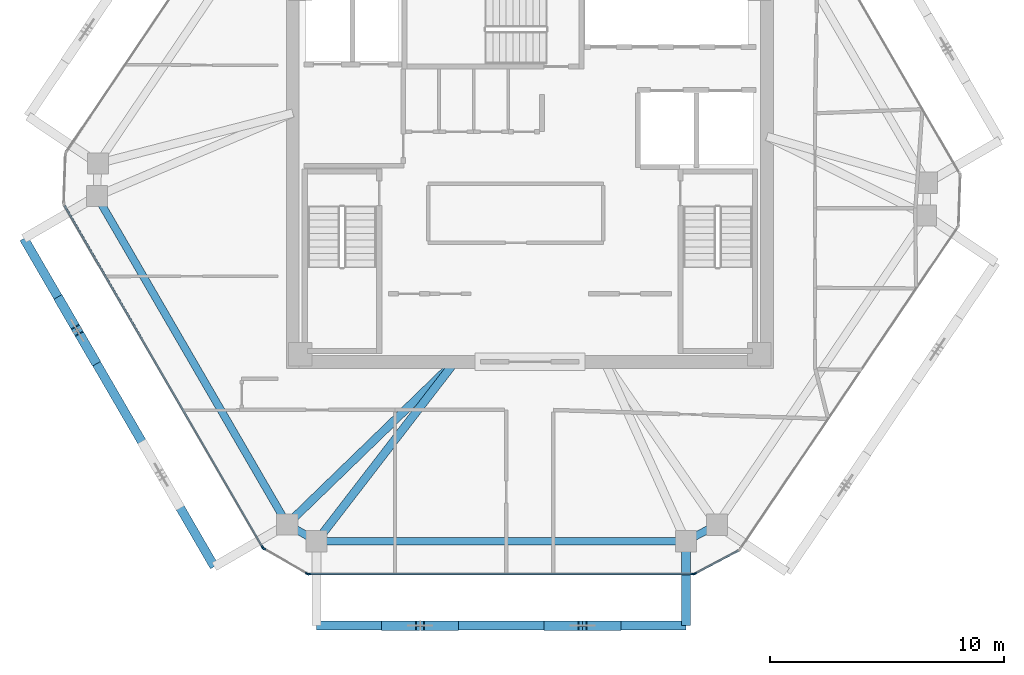
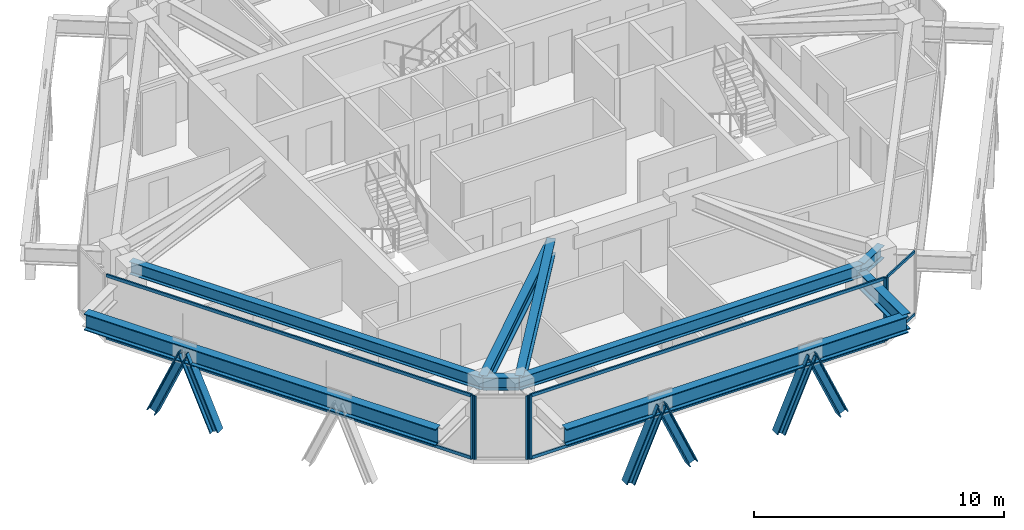
# One storey, part 2 of 14: 18 members, 9 beams, 4 elements without a shape of their own.
"""IFC4 building model written with IfcOpenShell, lengths in metres."""

import ifcopenshell
import ifcopenshell.guid

model = None  # the IFC model being written
_history = None  # IfcOwnerHistory: only IFC2X3 demands one
_inside = {}  # id of a spatial element -> (the spatial element, [elements in it])
_under = {}  # id of a project, library or spatial element -> (it, [spatial elements below it])
_declared = {}  # id of a project -> (the project, [libraries it declares])
_typed = {}  # id of a type object -> (the type object, [elements of that type])
_made_of = {}  # id of a material, layer set ... -> (it, [elements and type objects made of it])


def new_model(schema):
    """Start an empty IFC model of exactly this schema.

    Asked for "IFC4X3", IfcOpenShell would pick the latest addendum, in which some entities
    have other attributes; the version numbers below select the first issue.
    IFC2X3 requires an IfcOwnerHistory on every rooted entity: one is made here for all.
    """
    global model, _history
    if schema == "IFC4X3":
        model = ifcopenshell.file(schema_version=(4, 3, 0, 0))
    else:
        model = ifcopenshell.file(schema=schema)
    _inside.clear()
    _under.clear()
    _declared.clear()
    _typed.clear()
    _made_of.clear()
    _history = None
    if model.schema == "IFC2X3":
        org = make("IfcOrganization", Name="unknown")
        user = make(
            "IfcPersonAndOrganization",
            ThePerson=make("IfcPerson", FamilyName="unknown"),
            TheOrganization=org,
        )
        app = make(
            "IfcApplication",
            ApplicationDeveloper=org,
            Version="unknown",
            ApplicationFullName="unknown",
            ApplicationIdentifier="unknown",
        )
        _history = make(
            "IfcOwnerHistory",
            OwningUser=user,
            OwningApplication=app,
            ChangeAction="ADDED",
            CreationDate=0,
        )
    return model


def make(cls, **values):
    """One entity of the class cls with the attributes given. An attribute that is None is left unset."""
    return model.create_entity(
        cls, **{name: value for name, value in values.items() if value is not None}
    )


def rooted(cls, **values):
    """An entity with a GlobalId (a new one), such as an element, a storey or a relation."""
    return make(cls, GlobalId=ifcopenshell.guid.new(), OwnerHistory=_history, **values)


def si_unit(unit_type, name, prefix=None):
    """IfcSIUnit, for example si_unit("LENGTHUNIT", "METRE", prefix="MILLI")."""
    return make("IfcSIUnit", UnitType=unit_type, Prefix=prefix, Name=name)


def assignment(units):
    """IfcUnitAssignment: the units of a project."""
    return None if units is None else make("IfcUnitAssignment", Units=units)


def point(xyz):
    """IfcCartesianPoint."""
    return None if xyz is None else make("IfcCartesianPoint", Coordinates=xyz)


def direction(xyz):
    """IfcDirection."""
    return None if xyz is None else make("IfcDirection", DirectionRatios=xyz)


def frame(location, z_axis=None, x_axis=None):
    """IfcAxis2Placement3D, a coordinate frame: its origin and axes. An axis left out is left unset."""
    return make(
        "IfcAxis2Placement3D",
        Location=point(location),
        Axis=direction(z_axis),
        RefDirection=direction(x_axis),
    )


def frame_2d(location, x_axis=None):
    """IfcAxis2Placement2D, a coordinate frame in the plane: its origin and x axis."""
    return make(
        "IfcAxis2Placement2D", Location=point(location), RefDirection=direction(x_axis)
    )


def origin():
    """The frame at (0, 0, 0) with its axes left unset."""
    return frame((0.0, 0.0, 0.0))


def origin_2d():
    """The frame at (0, 0) in the plane with its x axis left unset."""
    return frame_2d((0.0, 0.0))


def place(relative_to, where):
    """IfcLocalPlacement: puts the frame where relative to a parent placement (None: the world)."""
    return make(
        "IfcLocalPlacement", PlacementRelTo=relative_to, RelativePlacement=where
    )


def context(
    kind, dimensions, precision=None, world=None, true_north=None, identifier=None
):
    """IfcGeometricRepresentationContext, for example the 3D "Model" context."""
    return make(
        "IfcGeometricRepresentationContext",
        ContextIdentifier=identifier,
        ContextType=kind,
        CoordinateSpaceDimension=dimensions,
        Precision=precision,
        WorldCoordinateSystem=world,
        TrueNorth=true_north,
    )


def subcontext(parent, identifier, kind, view, scale=None):
    """IfcGeometricRepresentationSubContext, for example "Body" below "Model"."""
    return make(
        "IfcGeometricRepresentationSubContext",
        ContextIdentifier=identifier,
        ContextType=kind,
        ParentContext=parent,
        TargetScale=scale,
        TargetView=view,
    )


def project(units=None, contexts=None):
    """IfcProject with its units and contexts."""
    return rooted(
        "IfcProject",
        Name="project",
        RepresentationContexts=contexts,
        UnitsInContext=assignment(units),
    )


def spatial(cls, under=None, at=None, **own):
    """A site, building, storey or space (cls), placed at a placement, below another one or the project."""
    s = rooted(cls, ObjectPlacement=at, **own)
    if under is not None:
        _under.setdefault(under.id(), (under, []))[1].append(s)
    return s


def profile(cls, at=None, kind="AREA", **sizes):
    """A parametric profile (cls). Its sizes go by their IFC names, for example OverallWidth=200.0."""
    return make(cls, ProfileType=kind, Position=at, **sizes)


def rectangle(**sizes):
    """IfcRectangleProfileDef."""
    return profile("IfcRectangleProfileDef", **sizes)


def i_section(**sizes):
    """IfcIShapeProfileDef."""
    return profile("IfcIShapeProfileDef", **sizes)


def extrude(swept, where, along, depth):
    """IfcExtrudedAreaSolid: the profile swept, set in the frame where, extruded along a direction by depth."""
    return make(
        "IfcExtrudedAreaSolid",
        SweptArea=swept,
        Position=where,
        ExtrudedDirection=direction(along),
        Depth=depth,
    )


def shape(context_of_items, identifier, shape_type, items):
    """IfcShapeRepresentation: the items that make up one representation, for example the "Body"."""
    return make(
        "IfcShapeRepresentation",
        ContextOfItems=context_of_items,
        RepresentationIdentifier=identifier,
        RepresentationType=shape_type,
        Items=items,
    )


def source(mapping_origin, context_of_items, identifier, shape_type, items):
    """IfcRepresentationMap: a shape defined once, which mapped items show again and again."""
    return make(
        "IfcRepresentationMap",
        MappingOrigin=mapping_origin,
        MappedRepresentation=shape(context_of_items, identifier, shape_type, items),
    )


def transform(
    local_origin,
    x_axis=None,
    y_axis=None,
    z_axis=None,
    scale=None,
    scale2=None,
    scale3=None,
    uniform=True,
):
    """IfcCartesianTransformationOperator3D, or its non-uniform kind. x_axis, y_axis, z_axis: its Axis1, 2, 3."""
    if uniform:
        return make(
            "IfcCartesianTransformationOperator3D",
            Axis1=direction(x_axis),
            Axis2=direction(y_axis),
            LocalOrigin=point(local_origin),
            Scale=scale,
            Axis3=direction(z_axis),
        )
    return make(
        "IfcCartesianTransformationOperator3DnonUniform",
        Axis1=direction(x_axis),
        Axis2=direction(y_axis),
        LocalOrigin=point(local_origin),
        Scale=scale,
        Axis3=direction(z_axis),
        Scale2=scale2,
        Scale3=scale3,
    )


def mapped(mapping_source, mapping_target):
    """IfcMappedItem: shows the shape of a source again, moved by a transform."""
    return make(
        "IfcMappedItem", MappingSource=mapping_source, MappingTarget=mapping_target
    )


def material(Name=None, Category=None):
    """IfcMaterial."""
    return make("IfcMaterial", Name=Name, Category=Category)


def layer(
    of_material, thickness, ventilated=None, Name=None, Category=None, Priority=None
):
    """IfcMaterialLayer: one layer of a wall or slab, of a material (None: an air gap)."""
    return make(
        "IfcMaterialLayer",
        Material=of_material,
        LayerThickness=thickness,
        IsVentilated=ventilated,
        Name=Name,
        Category=Category,
        Priority=Priority,
    )


def layer_set(layers, Name=None):
    """IfcMaterialLayerSet."""
    return make("IfcMaterialLayerSet", MaterialLayers=layers, LayerSetName=Name)


def material_profile(
    of_material, cross_section, Name=None, Category=None, Priority=None
):
    """IfcMaterialProfile: a cross section and its material."""
    return make(
        "IfcMaterialProfile",
        Name=Name,
        Material=of_material,
        Profile=cross_section,
        Priority=Priority,
        Category=Category,
    )


def profile_set(profiles, Name=None, composite=None):
    """IfcMaterialProfileSet."""
    return make(
        "IfcMaterialProfileSet",
        Name=Name,
        MaterialProfiles=profiles,
        CompositeProfile=composite,
    )


def made_of(thing, what):
    """Note that an element or type object is made of a material, layer set ...; save() writes the relation."""
    if what is not None:
        _made_of.setdefault(what.id(), (what, []))[1].append(thing)
    return thing


def type_object(cls, material=None, **own):
    """A type object (cls), such as IfcWallType, which elements share."""
    return made_of(rooted(cls, **own), material)


def type_shapes(of_type, sources):
    """Give a type object the sources (RepresentationMaps) that its elements show as mapped items."""
    of_type.RepresentationMaps = sources


def element(
    cls,
    number,
    at=None,
    inside=None,
    cuts=None,
    type_object=None,
    material=None,
    context=None,
    identifier="Body",
    shape_type=None,
    held_by="IfcProductDefinitionShape",
    body=None,
    shapes=None,
    **own,
):
    """One element of the class cls, such as IfcWall. Its Tag is "e" and its number.

    at: its placement. inside: the storey or other place that contains it. cuts: it is an
    opening in that element (IfcRelVoidsElement). A single representation is given by context,
    identifier, shape_type and body (its items); several are given by shapes. held_by: the class
    of the entity that holds the representations. save() writes the other relations.
    """
    e = rooted(cls, Tag="e%d" % number, ObjectPlacement=at, **own)
    if body is not None:
        shapes = [shape(context, identifier, shape_type, body)]
    if shapes is not None:
        e.Representation = make(held_by, Representations=shapes)
    if inside is not None:
        _inside.setdefault(inside.id(), (inside, []))[1].append(e)
    if cuts is not None:
        rooted(
            "IfcRelVoidsElement", RelatingBuildingElement=cuts, RelatedOpeningElement=e
        )
    if type_object is not None:
        _typed.setdefault(type_object.id(), (type_object, []))[1].append(e)
    return made_of(e, material)


def aggregate(whole, parts):
    """IfcRelAggregates: a whole, such as a stair, and the parts it consists of."""
    return rooted("IfcRelAggregates", RelatingObject=whole, RelatedObjects=parts)


def save(model, path):
    """Write the relations noted so far, then the file.

    IfcRelAggregates (storeys below a building ...), IfcRelContainedInSpatialStructure (elements
    in a storey), IfcRelDefinesByType, IfcRelAssociatesMaterial and IfcRelDeclares: one each for
    every whole, place, type object, material and project.
    """
    for whole, parts in _under.values():
        aggregate(whole, parts)
    for where, things in _inside.values():
        rooted(
            "IfcRelContainedInSpatialStructure",
            RelatedElements=things,
            RelatingStructure=where,
        )
    for kind, things in _typed.values():
        rooted("IfcRelDefinesByType", RelatedObjects=things, RelatingType=kind)
    for what, things in _made_of.values():
        rooted("IfcRelAssociatesMaterial", RelatedObjects=things, RelatingMaterial=what)
    for by, libraries in _declared.values():
        rooted("IfcRelDeclares", RelatingContext=by, RelatedDefinitions=libraries)
    model.write(path)


model = new_model("IFC4")

# Units and contexts
model_context = context("Model", 3, precision=1e-05, world=origin(), true_north=direction((0.0, 1.0)))
body_context = subcontext(model_context, "Body", "Model", "MODEL_VIEW")
ifc_project = project(units=[si_unit("LENGTHUNIT", "METRE"), si_unit("AREAUNIT", "SQUARE_METRE"), si_unit("VOLUMEUNIT", "CUBIC_METRE"), si_unit("PLANEANGLEUNIT", "RADIAN"), si_unit("MASSUNIT", "GRAM", prefix="KILO")], contexts=[model_context])

# Site, building, storey
site_placement = place(None, origin())
site = spatial("IfcSite", under=ifc_project, at=site_placement, CompositionType="ELEMENT")
building_placement = place(site_placement, origin())
building = spatial("IfcBuilding", under=site, at=building_placement, Name="Durnholm Broadcast Tower", CompositionType="ELEMENT")
storey_placement = place(building_placement, frame((0.0, 0.0, 261.5)))
storey = spatial("IfcBuildingStorey", under=building, at=storey_placement, Name="L73", CompositionType="ELEMENT", Elevation=261.5)

# Beams
ifc_material_1 = material(Name="Steel ASTM A992 Grade 50", Category="steel")
ifc_material_profile_1 = material_profile(ifc_material_1, i_section(OverallWidth=0.385009765625, OverallDepth=0.802978515625, WebThickness=0.023681640625, FlangeThickness=0.0419921875, FilletRadius=0.032958984375, at=origin_2d()), Name="W30X261")
ifc_profile_set_1 = profile_set([ifc_material_profile_1], Name="Steel ASTM A992 Grade 50")
beam_type_1 = type_object("IfcBeamType", Name="BM-EXO-TIE", PredefinedType="USERDEFINED", material=ifc_profile_set_1)
shared_shape_1 = source(origin(), body_context, "Body", "SweptSolid", [
    extrude(i_section(OverallWidth=0.385009765625, OverallDepth=0.802978515625, WebThickness=0.023681640625, FlangeThickness=0.0419921875, FilletRadius=0.032958984375, at=origin_2d()), origin(), (0.0, 0.0, 1.0), 3.4560546875),
])
beam_1_placement = place(storey_placement, frame((6.663818359375, -15.929931640625, 2.348388671875), z_axis=(0.0, -1.0, 0.0), x_axis=(1.0, 0.0, 0.0)))
element("IfcBeam", 1, at=beam_1_placement, inside=storey, type_object=beam_type_1, Name="L73 exoskeleton stand-off tie bracket F1.2", ObjectType="GIRDER", PredefinedType="USERDEFINED", context=body_context, shape_type="MappedRepresentation", body=[
    mapped(shared_shape_1, transform((0.0, 0.0, 0.0), x_axis=(1.0, 0.0, 0.0), y_axis=(0.0, 1.0, 0.0), z_axis=(0.0, 0.0, 1.0), scale=1.0)),
])
ifc_material_profile_2 = material_profile(ifc_material_1, i_section(OverallWidth=0.3251953125, OverallDepth=0.6162109375, WebThickness=0.013916015625, FlangeThickness=0.021484375, FilletRadius=0.02783203125, at=origin_2d()), Name="W24X117")
ifc_profile_set_2 = profile_set([ifc_material_profile_2], Name="Steel ASTM A992 Grade 50")
beam_type_2 = type_object("IfcBeamType", Name="STL-SP-W24X117", PredefinedType="SPANDREL", material=ifc_profile_set_2)
shared_shape_2 = source(origin(), body_context, "Body", "SweptSolid", [
    extrude(i_section(OverallWidth=0.3251953125, OverallDepth=0.6162109375, WebThickness=0.013916015625, FlangeThickness=0.021484375, FilletRadius=0.02783203125, at=origin_2d()), origin(), (0.0, 0.0, 1.0), 16.202880859375),
])
beam_2_placement = place(storey_placement, frame((-10.361328125, -15.061767578125, 2.77685546875), z_axis=(-0.501948303381, 0.864897624423, 0.0), x_axis=(-0.864897624423, -0.501948303381, 0.0)))
element("IfcBeam", 2, at=beam_2_placement, inside=storey, type_object=beam_type_2, Name="L73 perimeter spandrel girder 01", PredefinedType="SPANDREL", context=body_context, shape_type="MappedRepresentation", body=[
    mapped(shared_shape_2, transform((0.0, 0.0, 0.0), x_axis=(1.0, 0.0, 0.0), y_axis=(0.0, 1.0, 0.0), z_axis=(0.0, 0.0, 1.0), scale=1.0)),
])
shared_shape_3 = source(origin(), body_context, "Body", "SweptSolid", [
    extrude(i_section(OverallWidth=0.3251953125, OverallDepth=0.6162109375, WebThickness=0.013916015625, FlangeThickness=0.021484375, FilletRadius=0.02783203125, at=origin_2d()), origin(), (0.0, 0.0, 1.0), 1.502685546875),
])
beam_3_placement = place(storey_placement, frame((7.990966796875, -15.081298828125, 2.77685546875), z_axis=(-0.883241909673, -0.468917614296, 0.0), x_axis=(0.468917614296, -0.883241909673, 0.0)))
element("IfcBeam", 3, at=beam_3_placement, inside=storey, type_object=beam_type_2, Name="L73 perimeter spandrel girder 10", PredefinedType="SPANDREL", context=body_context, shape_type="MappedRepresentation", body=[
    mapped(shared_shape_3, transform((0.0, 0.0, 0.0), x_axis=(1.0, 0.0, 0.0), y_axis=(0.0, 1.0, 0.0), z_axis=(0.0, 0.0, 1.0), scale=1.0)),
])
shared_shape_4 = source(origin(), body_context, "Body", "SweptSolid", [
    extrude(i_section(OverallWidth=0.3251953125, OverallDepth=0.6162109375, WebThickness=0.013916015625, FlangeThickness=0.021484375, FilletRadius=0.02783203125, at=origin_2d()), origin(), (0.0, 0.0, 1.0), 15.767578125),
])
beam_4_placement = place(storey_placement, frame((6.663818359375, -15.785888671875, 2.77685546875), z_axis=(-1.0, 0.0, 0.0), x_axis=(0.0, -1.0, 0.0)))
element("IfcBeam", 4, at=beam_4_placement, inside=storey, type_object=beam_type_2, Name="L73 perimeter spandrel girder 11", PredefinedType="SPANDREL", context=body_context, shape_type="MappedRepresentation", body=[
    mapped(shared_shape_4, transform((0.0, 0.0, 0.0), x_axis=(1.0, 0.0, 0.0), y_axis=(0.0, 1.0, 0.0), z_axis=(0.0, 0.0, 1.0), scale=1.0)),
])
shared_shape_5 = source(origin(), body_context, "Body", "SweptSolid", [
    extrude(i_section(OverallWidth=0.3251953125, OverallDepth=0.6162109375, WebThickness=0.013916015625, FlangeThickness=0.021484375, FilletRadius=0.02783203125, at=origin_2d()), origin(), (0.0, 0.0, 1.0), 1.451171875),
])
type_shapes(beam_type_2, [shared_shape_2, shared_shape_3, shared_shape_4, shared_shape_5])
beam_5_placement = place(storey_placement, frame((-9.103759765625, -15.785888671875, 2.77685546875), z_axis=(-0.866602615509, 0.498998904601, 0.0), x_axis=(-0.498998904601, -0.866602615509, 0.0)))
element("IfcBeam", 5, at=beam_5_placement, inside=storey, type_object=beam_type_2, Name="L73 perimeter spandrel girder 12", PredefinedType="SPANDREL", context=body_context, shape_type="MappedRepresentation", body=[
    mapped(shared_shape_5, transform((0.0, 0.0, 0.0), x_axis=(1.0, 0.0, 0.0), y_axis=(0.0, 1.0, 0.0), z_axis=(0.0, 0.0, 1.0), scale=1.0)),
])
shared_shape_6 = source(origin(), body_context, "Body", "SweptSolid", [
    extrude(i_section(OverallWidth=0.385009765625, OverallDepth=0.802978515625, WebThickness=0.023681640625, FlangeThickness=0.0419921875, FilletRadius=0.032958984375, at=origin_2d()), origin(), (0.0, 0.0, 1.0), 15.767578125),
])
beam_6_placement = place(storey_placement, frame((-9.103759765625, -19.385986328125, 2.348388671875), z_axis=(1.0, 0.0, 0.0), x_axis=(0.0, 1.0, 0.0)))
element("IfcBeam", 6, at=beam_6_placement, inside=storey, type_object=beam_type_1, Name="L73 exoskeleton collector spandrel F1", PredefinedType="SPANDREL", context=body_context, shape_type="MappedRepresentation", body=[
    mapped(shared_shape_6, transform((0.0, 0.0, 0.0), x_axis=(1.0, 0.0, 0.0), y_axis=(0.0, 1.0, 0.0), z_axis=(0.0, 0.0, 1.0), scale=1.0)),
])
shared_shape_7 = source(origin(), body_context, "Body", "SweptSolid", [
    extrude(i_section(OverallWidth=0.385009765625, OverallDepth=0.802978515625, WebThickness=0.023681640625, FlangeThickness=0.0419921875, FilletRadius=0.032958984375, at=origin_2d()), origin(), (0.0, 0.0, 1.0), 16.20263671875),
])
type_shapes(beam_type_1, [shared_shape_1, shared_shape_6, shared_shape_7])
beam_7_placement = place(storey_placement, frame((-21.60791015625, -2.85498046875, 2.348388671875), z_axis=(0.501943573333, -0.864900369516, 0.0), x_axis=(0.864900369516, 0.501943573333, 0.0)))
element("IfcBeam", 7, at=beam_7_placement, inside=storey, type_object=beam_type_1, Name="L73 exoskeleton collector spandrel F6", PredefinedType="SPANDREL", context=body_context, shape_type="MappedRepresentation", body=[
    mapped(shared_shape_7, transform((0.0, 0.0, 0.0), x_axis=(1.0, 0.0, 0.0), y_axis=(0.0, 1.0, 0.0), z_axis=(0.0, 0.0, 1.0), scale=1.0)),
])
ifc_material_profile_3 = material_profile(ifc_material_1, i_section(OverallWidth=0.3564453125, OverallDepth=0.713623046875, WebThickness=0.01904296875, FlangeThickness=0.033935546875, FilletRadius=0.030517578125, at=origin_2d()), Name="W27X194")
ifc_profile_set_3 = profile_set([ifc_material_profile_3], Name="Steel ASTM A992 Grade 50")
beam_type_3 = type_object("IfcBeamType", Name="STL-GR-W27X194", PredefinedType="USERDEFINED", material=ifc_profile_set_3)
shared_shape_8 = source(origin(), body_context, "Body", "SweptSolid", [
    extrude(i_section(OverallWidth=0.3564453125, OverallDepth=0.713623046875, WebThickness=0.01904296875, FlangeThickness=0.033935546875, FilletRadius=0.030517578125, at=origin_2d()), origin(), (0.0, 0.0, 1.0), 9.97021484375),
])
beam_8_placement = place(storey_placement, frame((-3.199951171875, -8.125, 2.728271484375), z_axis=(-0.718281140352, -0.695752975857, 0.0), x_axis=(0.695752975857, -0.718281140352, 0.0)))
element("IfcBeam", 8, at=beam_8_placement, inside=storey, type_object=beam_type_3, Name="L73 radial primary floor girder 01", ObjectType="GIRDER", PredefinedType="USERDEFINED", context=body_context, shape_type="MappedRepresentation", body=[
    mapped(shared_shape_8, transform((0.0, 0.0, 0.0), x_axis=(1.0, 0.0, 0.0), y_axis=(0.0, 1.0, 0.0), z_axis=(0.0, 0.0, 1.0), scale=1.0)),
])
shared_shape_9 = source(origin(), body_context, "Body", "SweptSolid", [
    extrude(i_section(OverallWidth=0.3564453125, OverallDepth=0.713623046875, WebThickness=0.01904296875, FlangeThickness=0.033935546875, FilletRadius=0.030517578125, at=origin_2d()), origin(), (0.0, 0.0, 1.0), 9.671875),
])
type_shapes(beam_type_3, [shared_shape_8, shared_shape_9])
beam_9_placement = place(storey_placement, frame((-3.199951171875, -8.125, 2.728271484375), z_axis=(-0.610413181287, -0.792083169945, 0.0), x_axis=(0.792083169945, -0.610413181287, 0.0)))
element("IfcBeam", 9, at=beam_9_placement, inside=storey, type_object=beam_type_3, Name="L73 radial primary floor girder 12", ObjectType="GIRDER", PredefinedType="USERDEFINED", context=body_context, shape_type="MappedRepresentation", body=[
    mapped(shared_shape_9, transform((0.0, 0.0, 0.0), x_axis=(1.0, 0.0, 0.0), y_axis=(0.0, 1.0, 0.0), z_axis=(0.0, 0.0, 1.0), scale=1.0)),
])

# Members
ifc_material_2 = material(Name="Steel ASTM A913 Grade 65", Category="steel")
ifc_material_profile_4 = material_profile(ifc_material_2, i_section(OverallWidth=0.40625, OverallDepth=0.416015625, WebThickness=0.02978515625, FlangeThickness=0.048095703125, FilletRadius=0.030517578125, at=origin_2d()), Name="W14X257")
ifc_profile_set_4 = profile_set([ifc_material_profile_4], Name="Steel ASTM A913 Grade 65")
member_type_1 = type_object("IfcMemberType", Name="STL-DG-W14X257", PredefinedType="BRACE", material=ifc_profile_set_4)
shared_shape_10 = source(origin(), body_context, "Body", "SweptSolid", [
    extrude(i_section(OverallWidth=0.40625, OverallDepth=0.416015625, WebThickness=0.02978515625, FlangeThickness=0.048095703125, FilletRadius=0.030517578125, at=origin_2d()), origin(), (0.0, 0.0, 1.0), 3.644287109375),
])
type_shapes(member_type_1, [shared_shape_10])
for number, where, z_axis, x_axis, name in (
    (10, (-6.14697265625, -19.385986328125, -0.991455078125), (0.400143971826, 0.0, 0.916452291072), (0.0, 1.0, 0.0), "L73 stand-off diagrid brace F1.D1.1"),
    (11, (-3.230712890625, -19.385986328125, -0.991455078125), (-0.400087703894, 0.0, 0.916476856878), (0.0, -1.0, 0.0), "L73 stand-off diagrid brace F1.D1.2"),
    (12, (0.79052734375, -19.385986328125, -0.991455078125), (0.400143971826, 0.0, 0.916452291072), (0.0, 1.0, 0.0), "L73 stand-off diagrid brace F1.D2.1"),
    (13, (3.70703125, -19.385986328125, -0.991455078125), (-0.400143971826, 0.0, 0.916452291072), (0.0, -1.0, 0.0), "L73 stand-off diagrid brace F1.D2.2"),
    (14, (-20.0625, -5.517578125, -0.991455078125), (0.200778630948, -0.346086889382, 0.916467024149), (0.864978863669, 0.501808295473, 0.0), "L73 stand-off diagrid brace F6.D1.1"),
    (15, (-18.5986328125, -8.0400390625, -0.991455078125), (-0.200907210898, 0.346077576358, 0.916442362482), (-0.864833498681, -0.50205878098, 0.0), "L73 stand-off diagrid brace F6.D1.2"),
):
    element("IfcMember", number, at=place(storey_placement, frame(where, z_axis=z_axis, x_axis=x_axis)), inside=storey, type_object=member_type_1, Name=name, PredefinedType="BRACE", context=body_context, shape_type="MappedRepresentation", body=[
        mapped(shared_shape_10, transform((0.0, 0.0, 0.0), x_axis=(1.0, 0.0, 0.0), y_axis=(0.0, 1.0, 0.0), z_axis=(0.0, 0.0, 1.0), scale=1.0)),
    ])

# Curtain wall, members
ifc_material_3 = material(Name="Aluminium and Solar Control IGU", Category="aluminium")
ifc_layer_1 = layer(ifc_material_3, 0.1650390625)
ifc_layer_set_1 = layer_set([ifc_layer_1], Name="Aluminium and Solar Control IGU")
curtain_wall_type_1 = type_object("IfcCurtainWallType", Name="CW-SYS-5", PredefinedType="NOTDEFINED", material=ifc_layer_set_1)
curtain_wall_1_placement = place(storey_placement, origin())
curtain_wall_1 = element("IfcCurtainWall", 16, at=curtain_wall_1_placement, inside=storey, type_object=curtain_wall_type_1, Name="L73 curtain wall CW-CORNER CW-L73-CRN-09", PredefinedType="NOTDEFINED")
ifc_material_4 = material(Name="Aluminium 6063-T6", Category="aluminium")
ifc_material_profile_5 = material_profile(ifc_material_4, rectangle(XDim=0.06494140625, YDim=0.1298828125, at=origin_2d()), Name="CWT65X130")
ifc_profile_set_5 = profile_set([ifc_material_profile_5], Name="Aluminium 6063-T6")
member_type_2 = type_object("IfcMemberType", Name="CW-SYS-5-TRN", PredefinedType="USERDEFINED", material=ifc_profile_set_5)
shared_shape_11 = source(origin(), body_context, "Body", "SweptSolid", [
    extrude(rectangle(XDim=0.06494140625, YDim=0.1298828125, at=origin_2d()), origin(), (0.0, 0.0, 1.0), 2.070068359375),
])
type_shapes(member_type_2, [shared_shape_11])
member_1_placement = place(storey_placement, frame((8.89794921875, -16.1845703125, 0.032470703125), z_axis=(-0.883164581026, -0.469063239682, 0.0), x_axis=(0.469063239682, -0.883164581026, 0.0)))
member_1 = element("IfcMember", 17, at=member_1_placement, type_object=member_type_2, Name="CW-CORNER transom 1.1", ObjectType="TRANSOM", PredefinedType="USERDEFINED", context=body_context, shape_type="MappedRepresentation", body=[
    mapped(shared_shape_11, transform((0.0, 0.0, 0.0), x_axis=(1.0, 0.0, 0.0), y_axis=(0.0, 1.0, 0.0), z_axis=(0.0, 0.0, 1.0), scale=1.0)),
])
member_2_placement = place(storey_placement, frame((8.89794921875, -16.1845703125, 3.0673828125), z_axis=(-0.883164581026, -0.469063239682, 0.0), x_axis=(0.469063239682, -0.883164581026, 0.0)))
member_2 = element("IfcMember", 18, at=member_2_placement, type_object=member_type_2, Name="CW-CORNER transom 1.2", ObjectType="TRANSOM", PredefinedType="USERDEFINED", context=body_context, shape_type="MappedRepresentation", body=[
    mapped(shared_shape_11, transform((0.0, 0.0, 0.0), x_axis=(1.0, 0.0, 0.0), y_axis=(0.0, 1.0, 0.0), z_axis=(0.0, 0.0, 1.0), scale=1.0)),
])

ifc_layer_2 = layer(ifc_material_3, 0.18994140625)
ifc_layer_set_2 = layer_set([ifc_layer_2], Name="Aluminium and Solar Control IGU")
curtain_wall_type_2 = type_object("IfcCurtainWallType", Name="CW-SYS-4", PredefinedType="NOTDEFINED", material=ifc_layer_set_2)
curtain_wall_2_placement = place(storey_placement, origin())
curtain_wall_2 = element("IfcCurtainWall", 19, at=curtain_wall_2_placement, inside=storey, type_object=curtain_wall_type_2, Name="L73 curtain wall CW-Z34-VIS CW-L73-F10", PredefinedType="NOTDEFINED")
ifc_material_profile_6 = material_profile(ifc_material_4, rectangle(XDim=0.070068359375, YDim=0.14990234375, at=origin_2d()), Name="CWT70X150")
ifc_profile_set_6 = profile_set([ifc_material_profile_6], Name="Aluminium 6063-T6")
member_type_3 = type_object("IfcMemberType", Name="CW-SYS-4-TRN", PredefinedType="USERDEFINED", material=ifc_profile_set_6)
shared_shape_12 = source(origin(), body_context, "Body", "SweptSolid", [
    extrude(rectangle(XDim=0.070068359375, YDim=0.14990234375, at=origin_2d()), origin(), (0.0, 0.0, 1.0), 16.350341796875),
])
member_3_placement = place(storey_placement, frame((6.9423828125, -17.18603515625, 0.034912109375), z_axis=(-1.0, 0.0, 0.0), x_axis=(0.0, -1.0, 0.0)))
member_3 = element("IfcMember", 20, at=member_3_placement, type_object=member_type_3, Name="CW-Z34-VIS transom 1.1", ObjectType="TRANSOM", PredefinedType="USERDEFINED", context=body_context, shape_type="MappedRepresentation", body=[
    mapped(shared_shape_12, transform((0.0, 0.0, 0.0), x_axis=(1.0, 0.0, 0.0), y_axis=(0.0, 1.0, 0.0), z_axis=(0.0, 0.0, 1.0), scale=1.0)),
])
member_4_placement = place(storey_placement, frame((6.9423828125, -17.18603515625, 3.06494140625), z_axis=(-1.0, 0.0, 0.0), x_axis=(0.0, -1.0, 0.0)))
member_4 = element("IfcMember", 21, at=member_4_placement, type_object=member_type_3, Name="CW-Z34-VIS transom 1.2", ObjectType="TRANSOM", PredefinedType="USERDEFINED", context=body_context, shape_type="MappedRepresentation", body=[
    mapped(shared_shape_12, transform((0.0, 0.0, 0.0), x_axis=(1.0, 0.0, 0.0), y_axis=(0.0, 1.0, 0.0), z_axis=(0.0, 0.0, 1.0), scale=1.0)),
])

curtain_wall_3_placement = place(storey_placement, origin())
curtain_wall_3 = element("IfcCurtainWall", 22, at=curtain_wall_3_placement, inside=storey, type_object=curtain_wall_type_2, Name="L73 curtain wall CW-Z34-VIS CW-L73-F12", PredefinedType="NOTDEFINED")
shared_shape_13 = source(origin(), body_context, "Body", "SweptSolid", [
    extrude(rectangle(XDim=0.070068359375, YDim=0.14990234375, at=origin_2d()), origin(), (0.0, 0.0, 1.0), 16.83984375),
])
type_shapes(member_type_3, [shared_shape_12, shared_shape_13])
member_5_placement = place(storey_placement, frame((-11.41943359375, -16.027587890625, 0.034912109375), z_axis=(-0.501945239029, 0.86489940283, 0.0), x_axis=(-0.86489940283, -0.501945239029, 0.0)))
member_5 = element("IfcMember", 23, at=member_5_placement, type_object=member_type_3, Name="CW-Z34-VIS transom 1.1", ObjectType="TRANSOM", PredefinedType="USERDEFINED", context=body_context, shape_type="MappedRepresentation", body=[
    mapped(shared_shape_13, transform((0.0, 0.0, 0.0), x_axis=(1.0, 0.0, 0.0), y_axis=(0.0, 1.0, 0.0), z_axis=(0.0, 0.0, 1.0), scale=1.0)),
])
member_6_placement = place(storey_placement, frame((-11.41943359375, -16.027587890625, 3.06494140625), z_axis=(-0.501945239029, 0.86489940283, 0.0), x_axis=(-0.86489940283, -0.501945239029, 0.0)))
member_6 = element("IfcMember", 24, at=member_6_placement, type_object=member_type_3, Name="CW-Z34-VIS transom 1.2", ObjectType="TRANSOM", PredefinedType="USERDEFINED", context=body_context, shape_type="MappedRepresentation", body=[
    mapped(shared_shape_13, transform((0.0, 0.0, 0.0), x_axis=(1.0, 0.0, 0.0), y_axis=(0.0, 1.0, 0.0), z_axis=(0.0, 0.0, 1.0), scale=1.0)),
])

# Member
ifc_material_profile_7 = material_profile(ifc_material_4, rectangle(XDim=0.06494140625, YDim=0.1650390625, at=origin_2d()), Name="CWM65X165")
ifc_profile_set_7 = profile_set([ifc_material_profile_7], Name="Aluminium 6063-T6")
member_type_4 = type_object("IfcMemberType", Name="CW-SYS-5-MUL", PredefinedType="MULLION", material=ifc_profile_set_7)
shared_shape_14 = source(origin(), body_context, "Body", "SweptSolid", [
    extrude(rectangle(XDim=0.06494140625, YDim=0.1650390625, at=origin_2d()), origin(), (0.0, 0.0, 1.0), 3.10009765625),
])
type_shapes(member_type_4, [shared_shape_14])
member_7_placement = place(storey_placement, frame((7.041015625, -17.170654296875, 0.0), z_axis=(0.0, 0.0, 1.0), x_axis=(0.469006771575, -0.883194569853, 0.0)))
member_7 = element("IfcMember", 25, at=member_7_placement, type_object=member_type_4, Name="CW-CORNER mullion 2", PredefinedType="MULLION", context=body_context, shape_type="MappedRepresentation", body=[
    mapped(shared_shape_14, transform((0.0, 0.0, 0.0), x_axis=(1.0, 0.0, 0.0), y_axis=(0.0, 1.0, 0.0), z_axis=(0.0, 0.0, 1.0), scale=1.0)),
])

aggregate(curtain_wall_1, [member_7, member_1, member_2])

# Curtain wall, members
curtain_wall_4_placement = place(storey_placement, origin())
curtain_wall_4 = element("IfcCurtainWall", 26, at=curtain_wall_4_placement, inside=storey, type_object=curtain_wall_type_1, Name="L73 curtain wall CW-CORNER CW-L73-CRN-11", PredefinedType="NOTDEFINED")
member_8_placement = place(storey_placement, frame((-9.506103515625, -17.169677734375, 0.0), z_axis=(0.0, 0.0, 1.0), x_axis=(-0.499058582333, -0.866568249707, 0.0)))
member_8 = element("IfcMember", 27, at=member_8_placement, type_object=member_type_4, Name="CW-CORNER mullion 1", PredefinedType="MULLION", context=body_context, shape_type="MappedRepresentation", body=[
    mapped(shared_shape_14, transform((0.0, 0.0, 0.0), x_axis=(1.0, 0.0, 0.0), y_axis=(0.0, 1.0, 0.0), z_axis=(0.0, 0.0, 1.0), scale=1.0)),
])
member_9_placement = place(storey_placement, frame((-11.356201171875, -16.104248046875, 0.0), z_axis=(0.0, 0.0, 1.0), x_axis=(-0.499058582333, -0.866568249707, 0.0)))
member_9 = element("IfcMember", 28, at=member_9_placement, type_object=member_type_4, Name="CW-CORNER mullion 2", PredefinedType="MULLION", context=body_context, shape_type="MappedRepresentation", body=[
    mapped(shared_shape_14, transform((0.0, 0.0, 0.0), x_axis=(1.0, 0.0, 0.0), y_axis=(0.0, 1.0, 0.0), z_axis=(0.0, 0.0, 1.0), scale=1.0)),
])
aggregate(curtain_wall_4, [member_8, member_9])

# Member
ifc_material_profile_8 = material_profile(ifc_material_4, rectangle(XDim=0.070068359375, YDim=0.18994140625, at=origin_2d()), Name="CWM70X190")
ifc_profile_set_8 = profile_set([ifc_material_profile_8], Name="Aluminium 6063-T6")
member_type_5 = type_object("IfcMemberType", Name="CW-SYS-4-MUL", PredefinedType="MULLION", material=ifc_profile_set_8)
shared_shape_15 = source(origin(), body_context, "Body", "SweptSolid", [
    extrude(rectangle(XDim=0.070068359375, YDim=0.18994140625, at=origin_2d()), origin(), (0.0, 0.0, 1.0), 3.10009765625),
])
type_shapes(member_type_5, [shared_shape_15])
member_10_placement = place(storey_placement, frame((6.977294921875, -17.18603515625, 0.0), z_axis=(0.0, 0.0, 1.0), x_axis=(0.0, -1.0, 0.0)))
member_10 = element("IfcMember", 29, at=member_10_placement, type_object=member_type_5, Name="CW-Z34-VIS mullion 1", PredefinedType="MULLION", context=body_context, shape_type="MappedRepresentation", body=[
    mapped(shared_shape_15, transform((0.0, 0.0, 0.0), x_axis=(1.0, 0.0, 0.0), y_axis=(0.0, 1.0, 0.0), z_axis=(0.0, 0.0, 1.0), scale=1.0)),
])

member_11_placement = place(storey_placement, frame((-9.443115234375, -17.18603515625, 0.0), z_axis=(0.0, 0.0, 1.0), x_axis=(0.0, -1.0, 0.0)))
member_11 = element("IfcMember", 30, at=member_11_placement, type_object=member_type_5, Name="CW-Z34-VIS mullion 2", PredefinedType="MULLION", context=body_context, shape_type="MappedRepresentation", body=[
    mapped(shared_shape_15, transform((0.0, 0.0, 0.0), x_axis=(1.0, 0.0, 0.0), y_axis=(0.0, 1.0, 0.0), z_axis=(0.0, 0.0, 1.0), scale=1.0)),
])

aggregate(curtain_wall_2, [member_10, member_11, member_3, member_4])

member_12_placement = place(storey_placement, frame((-11.40185546875, -16.057861328125, 0.0), z_axis=(0.0, 0.0, 1.0), x_axis=(-0.864899883824, -0.50194441023, 0.0)))
member_12 = element("IfcMember", 31, at=member_12_placement, type_object=member_type_5, Name="CW-Z34-VIS mullion 1", PredefinedType="MULLION", context=body_context, shape_type="MappedRepresentation", body=[
    mapped(shared_shape_15, transform((0.0, 0.0, 0.0), x_axis=(1.0, 0.0, 0.0), y_axis=(0.0, 1.0, 0.0), z_axis=(0.0, 0.0, 1.0), scale=1.0)),
])

aggregate(curtain_wall_3, [member_12, member_5, member_6])

save(model, "model.ifc")
